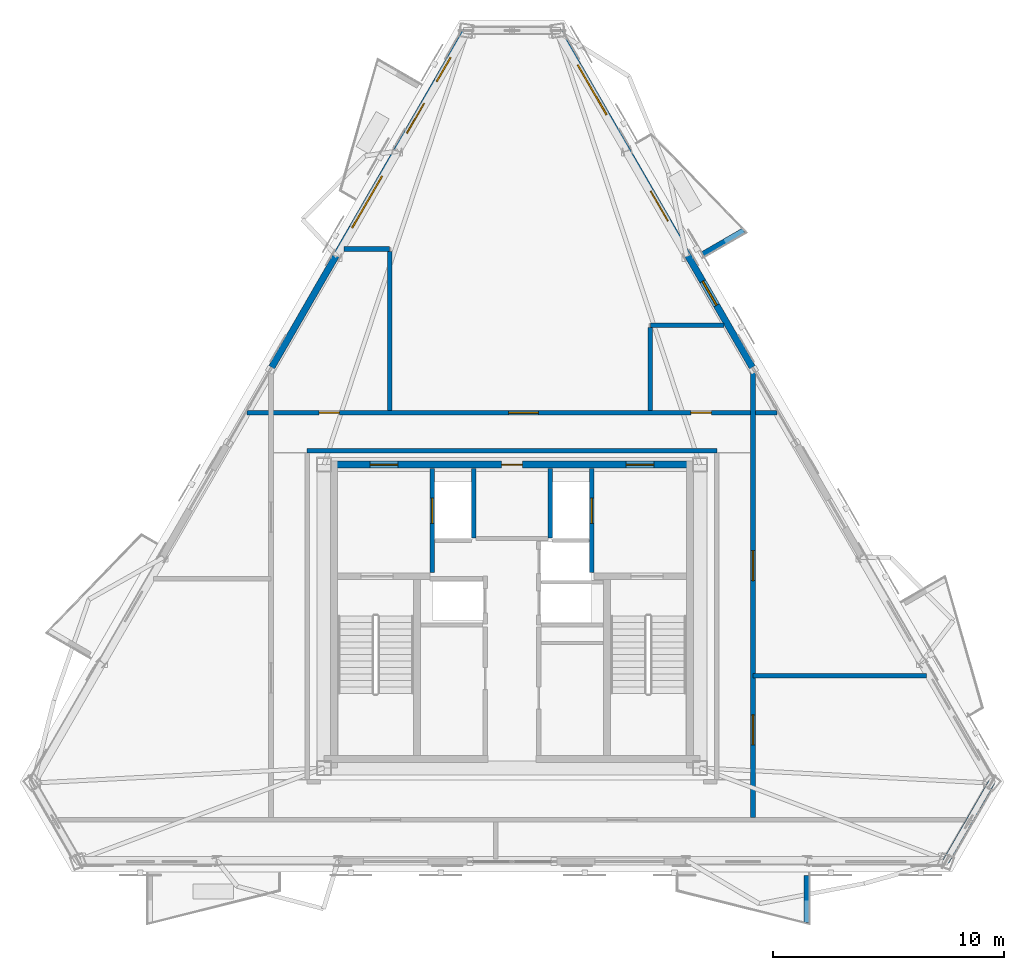
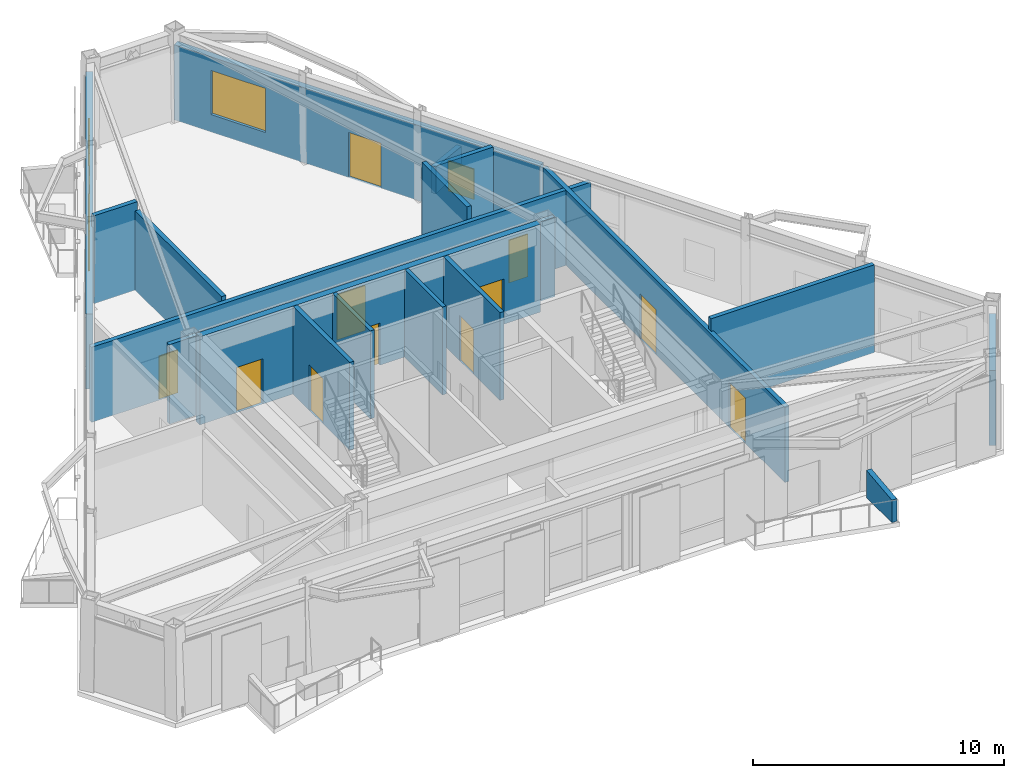
# One storey, part 11 of 16: 18 walls, 12 doors, 4 windows, 16 openings.
"""IFC4 building model written with IfcOpenShell, lengths in metres."""

import ifcopenshell
import ifcopenshell.guid

model = None  # the IFC model being written
_history = None  # IfcOwnerHistory: only IFC2X3 demands one
_inside = {}  # id of a spatial element -> (the spatial element, [elements in it])
_under = {}  # id of a project, library or spatial element -> (it, [spatial elements below it])
_declared = {}  # id of a project -> (the project, [libraries it declares])
_typed = {}  # id of a type object -> (the type object, [elements of that type])
_made_of = {}  # id of a material, layer set ... -> (it, [elements and type objects made of it])


def new_model(schema):
    """Start an empty IFC model of exactly this schema.

    Asked for "IFC4X3", IfcOpenShell would pick the latest addendum, in which some entities
    have other attributes; the version numbers below select the first issue.
    IFC2X3 requires an IfcOwnerHistory on every rooted entity: one is made here for all.
    """
    global model, _history
    if schema == "IFC4X3":
        model = ifcopenshell.file(schema_version=(4, 3, 0, 0))
    else:
        model = ifcopenshell.file(schema=schema)
    _inside.clear()
    _under.clear()
    _declared.clear()
    _typed.clear()
    _made_of.clear()
    _history = None
    if model.schema == "IFC2X3":
        org = make("IfcOrganization", Name="unknown")
        user = make(
            "IfcPersonAndOrganization",
            ThePerson=make("IfcPerson", FamilyName="unknown"),
            TheOrganization=org,
        )
        app = make(
            "IfcApplication",
            ApplicationDeveloper=org,
            Version="unknown",
            ApplicationFullName="unknown",
            ApplicationIdentifier="unknown",
        )
        _history = make(
            "IfcOwnerHistory",
            OwningUser=user,
            OwningApplication=app,
            ChangeAction="ADDED",
            CreationDate=0,
        )
    return model


def make(cls, **values):
    """One entity of the class cls with the attributes given. An attribute that is None is left unset."""
    return model.create_entity(
        cls, **{name: value for name, value in values.items() if value is not None}
    )


def rooted(cls, **values):
    """An entity with a GlobalId (a new one), such as an element, a storey or a relation."""
    return make(cls, GlobalId=ifcopenshell.guid.new(), OwnerHistory=_history, **values)


def si_unit(unit_type, name, prefix=None):
    """IfcSIUnit, for example si_unit("LENGTHUNIT", "METRE", prefix="MILLI")."""
    return make("IfcSIUnit", UnitType=unit_type, Prefix=prefix, Name=name)


def assignment(units):
    """IfcUnitAssignment: the units of a project."""
    return None if units is None else make("IfcUnitAssignment", Units=units)


def point(xyz):
    """IfcCartesianPoint."""
    return None if xyz is None else make("IfcCartesianPoint", Coordinates=xyz)


def direction(xyz):
    """IfcDirection."""
    return None if xyz is None else make("IfcDirection", DirectionRatios=xyz)


def frame(location, z_axis=None, x_axis=None):
    """IfcAxis2Placement3D, a coordinate frame: its origin and axes. An axis left out is left unset."""
    return make(
        "IfcAxis2Placement3D",
        Location=point(location),
        Axis=direction(z_axis),
        RefDirection=direction(x_axis),
    )


def frame_2d(location, x_axis=None):
    """IfcAxis2Placement2D, a coordinate frame in the plane: its origin and x axis."""
    return make(
        "IfcAxis2Placement2D", Location=point(location), RefDirection=direction(x_axis)
    )


def origin():
    """The frame at (0, 0, 0) with its axes left unset."""
    return frame((0.0, 0.0, 0.0))


def place(relative_to, where):
    """IfcLocalPlacement: puts the frame where relative to a parent placement (None: the world)."""
    return make(
        "IfcLocalPlacement", PlacementRelTo=relative_to, RelativePlacement=where
    )


def context(
    kind, dimensions, precision=None, world=None, true_north=None, identifier=None
):
    """IfcGeometricRepresentationContext, for example the 3D "Model" context."""
    return make(
        "IfcGeometricRepresentationContext",
        ContextIdentifier=identifier,
        ContextType=kind,
        CoordinateSpaceDimension=dimensions,
        Precision=precision,
        WorldCoordinateSystem=world,
        TrueNorth=true_north,
    )


def subcontext(parent, identifier, kind, view, scale=None):
    """IfcGeometricRepresentationSubContext, for example "Body" below "Model"."""
    return make(
        "IfcGeometricRepresentationSubContext",
        ContextIdentifier=identifier,
        ContextType=kind,
        ParentContext=parent,
        TargetScale=scale,
        TargetView=view,
    )


def project(units=None, contexts=None):
    """IfcProject with its units and contexts."""
    return rooted(
        "IfcProject",
        Name="project",
        RepresentationContexts=contexts,
        UnitsInContext=assignment(units),
    )


def spatial(cls, under=None, at=None, **own):
    """A site, building, storey or space (cls), placed at a placement, below another one or the project."""
    s = rooted(cls, ObjectPlacement=at, **own)
    if under is not None:
        _under.setdefault(under.id(), (under, []))[1].append(s)
    return s


def polyline(points):
    """IfcPolyline through the points."""
    return make("IfcPolyline", Points=[point(p) for p in points])


def profile(cls, at=None, kind="AREA", **sizes):
    """A parametric profile (cls). Its sizes go by their IFC names, for example OverallWidth=200.0."""
    return make(cls, ProfileType=kind, Position=at, **sizes)


def rectangle(**sizes):
    """IfcRectangleProfileDef."""
    return profile("IfcRectangleProfileDef", **sizes)


def outline(outer, holes=None, kind="AREA"):
    """IfcArbitraryClosedProfileDef: a profile drawn as a closed curve; with holes, ...WithVoids."""
    if holes is None:
        return make("IfcArbitraryClosedProfileDef", ProfileType=kind, OuterCurve=outer)
    return make(
        "IfcArbitraryProfileDefWithVoids",
        ProfileType=kind,
        OuterCurve=outer,
        InnerCurves=holes,
    )


def extrude(swept, where, along, depth):
    """IfcExtrudedAreaSolid: the profile swept, set in the frame where, extruded along a direction by depth."""
    return make(
        "IfcExtrudedAreaSolid",
        SweptArea=swept,
        Position=where,
        ExtrudedDirection=direction(along),
        Depth=depth,
    )


def shape(context_of_items, identifier, shape_type, items):
    """IfcShapeRepresentation: the items that make up one representation, for example the "Body"."""
    return make(
        "IfcShapeRepresentation",
        ContextOfItems=context_of_items,
        RepresentationIdentifier=identifier,
        RepresentationType=shape_type,
        Items=items,
    )


def material(Name=None, Category=None):
    """IfcMaterial."""
    return make("IfcMaterial", Name=Name, Category=Category)


def layer(
    of_material, thickness, ventilated=None, Name=None, Category=None, Priority=None
):
    """IfcMaterialLayer: one layer of a wall or slab, of a material (None: an air gap)."""
    return make(
        "IfcMaterialLayer",
        Material=of_material,
        LayerThickness=thickness,
        IsVentilated=ventilated,
        Name=Name,
        Category=Category,
        Priority=Priority,
    )


def layer_set(layers, Name=None):
    """IfcMaterialLayerSet."""
    return make("IfcMaterialLayerSet", MaterialLayers=layers, LayerSetName=Name)


def made_of(thing, what):
    """Note that an element or type object is made of a material, layer set ...; save() writes the relation."""
    if what is not None:
        _made_of.setdefault(what.id(), (what, []))[1].append(thing)
    return thing


def type_object(cls, material=None, **own):
    """A type object (cls), such as IfcWallType, which elements share."""
    return made_of(rooted(cls, **own), material)


def element(
    cls,
    number,
    at=None,
    inside=None,
    cuts=None,
    type_object=None,
    material=None,
    context=None,
    identifier="Body",
    shape_type=None,
    held_by="IfcProductDefinitionShape",
    body=None,
    shapes=None,
    **own,
):
    """One element of the class cls, such as IfcWall. Its Tag is "e" and its number.

    at: its placement. inside: the storey or other place that contains it. cuts: it is an
    opening in that element (IfcRelVoidsElement). A single representation is given by context,
    identifier, shape_type and body (its items); several are given by shapes. held_by: the class
    of the entity that holds the representations. save() writes the other relations.
    """
    e = rooted(cls, Tag="e%d" % number, ObjectPlacement=at, **own)
    if body is not None:
        shapes = [shape(context, identifier, shape_type, body)]
    if shapes is not None:
        e.Representation = make(held_by, Representations=shapes)
    if inside is not None:
        _inside.setdefault(inside.id(), (inside, []))[1].append(e)
    if cuts is not None:
        rooted(
            "IfcRelVoidsElement", RelatingBuildingElement=cuts, RelatedOpeningElement=e
        )
    if type_object is not None:
        _typed.setdefault(type_object.id(), (type_object, []))[1].append(e)
    return made_of(e, material)


def fill(opening, filler):
    """IfcRelFillsElement: the door or window that sits in an opening."""
    return rooted(
        "IfcRelFillsElement",
        RelatingOpeningElement=opening,
        RelatedBuildingElement=filler,
    )


def aggregate(whole, parts):
    """IfcRelAggregates: a whole, such as a stair, and the parts it consists of."""
    return rooted("IfcRelAggregates", RelatingObject=whole, RelatedObjects=parts)


def save(model, path):
    """Write the relations noted so far, then the file.

    IfcRelAggregates (storeys below a building ...), IfcRelContainedInSpatialStructure (elements
    in a storey), IfcRelDefinesByType, IfcRelAssociatesMaterial and IfcRelDeclares: one each for
    every whole, place, type object, material and project.
    """
    for whole, parts in _under.values():
        aggregate(whole, parts)
    for where, things in _inside.values():
        rooted(
            "IfcRelContainedInSpatialStructure",
            RelatedElements=things,
            RelatingStructure=where,
        )
    for kind, things in _typed.values():
        rooted("IfcRelDefinesByType", RelatedObjects=things, RelatingType=kind)
    for what, things in _made_of.values():
        rooted("IfcRelAssociatesMaterial", RelatedObjects=things, RelatingMaterial=what)
    for by, libraries in _declared.values():
        rooted("IfcRelDeclares", RelatingContext=by, RelatedDefinitions=libraries)
    model.write(path)


model = new_model("IFC4")

# Units and contexts
model_context = context("Model", 3, precision=1e-05, world=origin(), true_north=direction((0.0, 1.0)))
body_context = subcontext(model_context, "Body", "Model", "MODEL_VIEW")
ifc_project = project(units=[si_unit("LENGTHUNIT", "METRE"), si_unit("AREAUNIT", "SQUARE_METRE"), si_unit("VOLUMEUNIT", "CUBIC_METRE"), si_unit("PLANEANGLEUNIT", "RADIAN"), si_unit("MASSUNIT", "GRAM", prefix="KILO")], contexts=[model_context])

# Site, building, storey
site_placement = place(None, origin())
site = spatial("IfcSite", under=ifc_project, at=site_placement, CompositionType="ELEMENT")
building_placement = place(site_placement, origin())
building = spatial("IfcBuilding", under=site, at=building_placement, Name="Oramaril Tower", CompositionType="ELEMENT")
storey_placement = place(building_placement, frame((0.0, 0.0, 296.699951171875)))
storey = spatial("IfcBuildingStorey", under=building, at=storey_placement, Name="L78", CompositionType="ELEMENT", Elevation=296.699951171875)

# Wall
ifc_material_1 = material(Name="Warm Cream Limestone", Category="masonry")
ifc_layer_1 = layer(ifc_material_1, 0.2900390625)
ifc_layer_set_1 = layer_set([ifc_layer_1], Name="WT-EXT29")
wall_type_1 = type_object("IfcWallType", Name="WT-EXT29", PredefinedType="SOLIDWALL", material=ifc_layer_set_1)
wall_1_placement = place(storey_placement, frame((56.30712890625, 6.94140625, 0.0), z_axis=(0.0, 0.0, 1.0), x_axis=(0.500014184414, 0.866017214255, 0.0)))
element("IfcWall", 1, at=wall_1_placement, inside=storey, type_object=wall_type_1, Name="L78 Tower Limestone Facade Wall 3M", PredefinedType="SOLIDWALL", context=body_context, shape_type="SweptSolid", body=[
    extrude(rectangle(XDim=3.984375, YDim=0.2900390625, at=frame_2d((1.9921875, 0.0))), origin(), (0.0, 0.0, 1.0), 3.657958984375),
])

# Wall, openings, door, windows
wall_2_placement = place(storey_placement, frame((47.920654296875, 28.3681640625, 0.0), z_axis=(0.0, 0.0, 1.0), x_axis=(-0.499997428937, 0.866026888183, 0.0)))
wall_2 = element("IfcWall", 2, at=wall_2_placement, inside=storey, type_object=wall_type_1, Name="L78 Tower Limestone Facade Wall 4R", PredefinedType="SOLIDWALL", context=body_context, shape_type="SweptSolid", body=[
    extrude(rectangle(XDim=16.85693359375, YDim=0.2900390625, at=frame_2d((8.428466796875, 0.0))), origin(), (0.0, 0.0, 1.0), 3.657958984375),
])
opening_1_placement = place(wall_2_placement, frame((7.32275390625, 0.0, 0.0)))
opening_1 = element("IfcOpeningElement", 3, at=opening_1_placement, cuts=wall_2, Name="Opening D-L78-BAL-NE2", PredefinedType="OPENING", context=body_context, shape_type="SweptSolid", body=[
    extrude(rectangle(XDim=1.5, YDim=2.199951171875, at=frame_2d((0.75, 1.10009765625))), frame((0.0, 0.14501953125, 0.0), z_axis=(0.0, -1.0, 0.0), x_axis=(1.0, 0.0, 0.0)), (0.0, 0.0, 1.0), 0.2900390625),
])
opening_2_placement = place(wall_2_placement, frame((3.1064453125, 0.0, 0.85009765625)))
opening_2 = element("IfcOpeningElement", 4, at=opening_2_placement, cuts=wall_2, Name="Opening WN-09", PredefinedType="OPENING", context=body_context, shape_type="SweptSolid", body=[
    extrude(rectangle(XDim=1.199951171875, YDim=1.47998046875, at=frame_2d((0.60009765625, 0.739990234375))), frame((0.0, 0.14501953125, 0.0), z_axis=(0.0, -1.0, 0.0), x_axis=(1.0, 0.0, 0.0)), (0.0, 0.0, 1.0), 0.2900390625),
])
opening_3_placement = place(wall_2_placement, frame((12.64111328125, 0.0, 0.85009765625)))
opening_3 = element("IfcOpeningElement", 5, at=opening_3_placement, cuts=wall_2, Name="Opening WN-11", PredefinedType="OPENING", context=body_context, shape_type="SweptSolid", body=[
    extrude(rectangle(XDim=2.5, YDim=2.14990234375, at=frame_2d((1.25, 1.074951171875))), frame((0.0, 0.14501953125, 0.0), z_axis=(0.0, -1.0, 0.0), x_axis=(1.0, 0.0, 0.0)), (0.0, 0.0, 1.0), 0.2900390625),
])
ifc_material_2 = material(Name="Anodised Aluminium 6063-T6", Category="aluminium")
door_type_1 = type_object("IfcDoorType", Name="DT-BAL", OperationType="NOTDEFINED", PredefinedType="DOOR", material=ifc_material_2)
door_1_placement = place(opening_1_placement, origin())
door_1 = element("IfcDoor", 6, at=door_1_placement, inside=storey, type_object=door_type_1, Name="L78 Balcony Glazed Door L78-BAL-NE2", OperationType="SINGLE_SWING_RIGHT", OverallHeight=2.199951171875, OverallWidth=1.5, PredefinedType="DOOR", context=body_context, shape_type="SweptSolid", body=[
    extrude(rectangle(XDim=1.5, YDim=2.199951171875, at=frame_2d((0.75, 1.10009765625))), frame((0.0, 0.02490234375, 0.0), z_axis=(0.0, -1.0, 0.0), x_axis=(1.0, 0.0, 0.0)), (0.0, 0.0, 1.0), 0.050048828125),
])
fill(opening_1, door_1)
ifc_material_3 = material(Name="Coastal Low-E Insulated Glass", Category="glass")
window_type_1 = type_object("IfcWindowType", Name="WNT-09", PartitioningType="SINGLE_PANEL", PredefinedType="WINDOW", material=ifc_material_3)
window_1_placement = place(opening_2_placement, origin())
window_1 = element("IfcWindow", 7, at=window_1_placement, inside=storey, type_object=window_type_1, Name="L78 Chicago Bay Window WN-09", OverallHeight=1.47998046875, OverallWidth=1.199951171875, PartitioningType="SINGLE_PANEL", PredefinedType="WINDOW", context=body_context, shape_type="SweptSolid", body=[
    extrude(rectangle(XDim=1.199951171875, YDim=1.47998046875, at=frame_2d((0.60009765625, 0.739990234375))), frame((0.0, 0.030029296875, 0.0), z_axis=(0.0, -1.0, 0.0), x_axis=(1.0, 0.0, 0.0)), (0.0, 0.0, 1.0), 0.06005859375),
])
fill(opening_2, window_1)
ifc_material_4 = material(Name="Coastal Low-E Insulated Glass", Category="glass")
window_type_2 = type_object("IfcWindowType", Name="WNT-11", PartitioningType="SINGLE_PANEL", PredefinedType="WINDOW", material=ifc_material_4)
window_2_placement = place(opening_3_placement, origin())
window_2 = element("IfcWindow", 8, at=window_2_placement, inside=storey, type_object=window_type_2, Name="L78 Chicago Bay Window WN-11", OverallHeight=2.14990234375, OverallWidth=2.5, PartitioningType="SINGLE_PANEL", PredefinedType="WINDOW", context=body_context, shape_type="SweptSolid", body=[
    extrude(rectangle(XDim=2.5, YDim=2.14990234375, at=frame_2d((1.25, 1.074951171875))), frame((0.0, 0.030029296875, 0.0), z_axis=(0.0, -1.0, 0.0), x_axis=(1.0, 0.0, 0.0)), (0.0, 0.0, 1.0), 0.06005859375),
])
fill(opening_3, window_2)

wall_3_placement = place(storey_placement, frame((35.5078125, 42.966796875, 0.0), z_axis=(0.0, 0.0, 1.0), x_axis=(-0.499997428937, -0.866026888183, 0.0)))
wall_3 = element("IfcWall", 9, at=wall_3_placement, inside=storey, type_object=wall_type_1, Name="L78 Tower Limestone Facade Wall 6L", PredefinedType="SOLIDWALL", context=body_context, shape_type="SweptSolid", body=[
    extrude(rectangle(XDim=16.85693359375, YDim=0.2900390625, at=frame_2d((8.428466796875, 0.0))), origin(), (0.0, 0.0, 1.0), 3.657958984375),
])
opening_4_placement = place(wall_3_placement, frame((3.639404296875, 0.0, 0.0)))
opening_4 = element("IfcOpeningElement", 10, at=opening_4_placement, cuts=wall_3, Name="Opening D-L78-BAL-NW1", PredefinedType="OPENING", context=body_context, shape_type="SweptSolid", body=[
    extrude(rectangle(XDim=1.5, YDim=2.199951171875, at=frame_2d((0.75, 1.10009765625))), frame((0.0, 0.14501953125, 0.0), z_axis=(0.0, -1.0, 0.0), x_axis=(1.0, 0.0, 0.0)), (0.0, 0.0, 1.0), 0.2900390625),
])
opening_5_placement = place(wall_3_placement, frame((1.341796875, 0.0, 0.85009765625)))
opening_5 = element("IfcOpeningElement", 11, at=opening_5_placement, cuts=wall_3, Name="Opening WN-09", PredefinedType="OPENING", context=body_context, shape_type="SweptSolid", body=[
    extrude(rectangle(XDim=1.199951171875, YDim=1.47998046875, at=frame_2d((0.60009765625, 0.739990234375))), frame((0.0, 0.14501953125, 0.0), z_axis=(0.0, -1.0, 0.0), x_axis=(1.0, 0.0, 0.0)), (0.0, 0.0, 1.0), 0.2900390625),
])
opening_6_placement = place(wall_3_placement, frame((7.2734375, 0.0, 0.85009765625)))
opening_6 = element("IfcOpeningElement", 12, at=opening_6_placement, cuts=wall_3, Name="Opening WN-02", PredefinedType="OPENING", context=body_context, shape_type="SweptSolid", body=[
    extrude(rectangle(XDim=2.60009765625, YDim=1.949951171875, at=frame_2d((1.300048828125, 0.97509765625))), frame((0.0, 0.14501953125, 0.0), z_axis=(0.0, -1.0, 0.0), x_axis=(1.0, 0.0, 0.0)), (0.0, 0.0, 1.0), 0.2900390625),
])
door_2_placement = place(opening_4_placement, origin())
door_2 = element("IfcDoor", 13, at=door_2_placement, inside=storey, type_object=door_type_1, Name="L78 Balcony Glazed Door L78-BAL-NW1", OperationType="SINGLE_SWING_LEFT", OverallHeight=2.199951171875, OverallWidth=1.5, PredefinedType="DOOR", context=body_context, shape_type="SweptSolid", body=[
    extrude(rectangle(XDim=1.5, YDim=2.199951171875, at=frame_2d((0.75, 1.10009765625))), frame((0.0, 0.02490234375, 0.0), z_axis=(0.0, -1.0, 0.0), x_axis=(1.0, 0.0, 0.0)), (0.0, 0.0, 1.0), 0.050048828125),
])
fill(opening_4, door_2)
ifc_material_5 = material(Name="Coastal Low-E Insulated Glass", Category="glass")
window_type_3 = type_object("IfcWindowType", Name="WNT-02", PartitioningType="SINGLE_PANEL", PredefinedType="WINDOW", material=ifc_material_5)
window_3_placement = place(opening_6_placement, origin())
window_3 = element("IfcWindow", 14, at=window_3_placement, inside=storey, type_object=window_type_3, Name="L78 Chicago Bay Window WN-02", OverallHeight=1.949951171875, OverallWidth=2.60009765625, PartitioningType="SINGLE_PANEL", PredefinedType="WINDOW", context=body_context, shape_type="SweptSolid", body=[
    extrude(rectangle(XDim=2.60009765625, YDim=1.949951171875, at=frame_2d((1.300048828125, 0.97509765625))), frame((0.0, 0.030029296875, 0.0), z_axis=(0.0, -1.0, 0.0), x_axis=(1.0, 0.0, 0.0)), (0.0, 0.0, 1.0), 0.06005859375),
])
fill(opening_6, window_3)
window_4_placement = place(opening_5_placement, origin())
window_4 = element("IfcWindow", 15, at=window_4_placement, inside=storey, type_object=window_type_1, Name="L78 Chicago Bay Window WN-09", OverallHeight=1.47998046875, OverallWidth=1.199951171875, PartitioningType="SINGLE_PANEL", PredefinedType="WINDOW", context=body_context, shape_type="SweptSolid", body=[
    extrude(rectangle(XDim=1.199951171875, YDim=1.47998046875, at=frame_2d((0.60009765625, 0.739990234375))), frame((0.0, 0.030029296875, 0.0), z_axis=(0.0, -1.0, 0.0), x_axis=(1.0, 0.0, 0.0)), (0.0, 0.0, 1.0), 0.06005859375),
])
fill(opening_5, window_4)

# Walls
ifc_material_6 = material(Name="Concrete C40/50", Category="concrete")
ifc_layer_2 = layer(ifc_material_6, 0.22998046875)
ifc_layer_set_2 = layer_set([ifc_layer_2], Name="WT-PRP23")
wall_type_2 = type_object("IfcWallType", Name="WT-PRP23", PredefinedType="PARAPET", material=ifc_layer_set_2)
for number, where, z_axis, x_axis, name in (
    (16, (50.267578125, 6.343505859375, 0.0), (0.0, 0.0, 1.0), (0.0, -1.0, 0.0), "L78 Trapezoidal Balcony Frame Cheek L78-BAL-S2-R"),
    (17, (45.774658203125, 33.281005859375, 0.0), (0.0, 0.0, 1.0), (0.866042246008, 0.499970827278, 0.0), "L78 Trapezoidal Balcony Frame Cheek L78-BAL-NE2-L"),
):
    element("IfcWall", number, at=place(storey_placement, frame(where, z_axis=z_axis, x_axis=x_axis)), inside=storey, type_object=wall_type_2, Name=name, PredefinedType="PARAPET", context=body_context, shape_type="SweptSolid", body=[
        extrude(outline(polyline([(0.0, 0.0), (2.0419921875, 0.0), (2.0419921875, 1.10009765625), (0.0, 1.320068359375), (0.0, 0.0)])), frame((0.0, 0.114990234375, 0.0), z_axis=(0.0, -1.0, 0.0), x_axis=(1.0, 0.0, 0.0)), (0.0, 0.0, 1.0), 0.22998046875),
    ])
ifc_material_7 = material(Name="Autoclaved Cellular Concrete Block", Category="concrete")
ifc_layer_3 = layer(ifc_material_7, 0.179931640625)
ifc_layer_set_3 = layer_set([ifc_layer_3], Name="WT-PT18")
wall_type_3 = type_object("IfcWallType", Name="WT-PT18", PredefinedType="PARTITIONING", material=ifc_layer_set_3)
for number, where, z_axis, x_axis, name in (
    (18, (35.840087890625, 20.9599609375, 0.0), (0.0, 0.0, 1.0), (0.0, 1.0, 0.0), "L78 FL-1 East Shaft Wall"),
    (19, (39.159912109375, 20.9599609375, 0.0), (0.0, 0.0, 1.0), (0.0, 1.0, 0.0), "L78 FL-2 West Shaft Wall"),
):
    element("IfcWall", number, at=place(storey_placement, frame(where, z_axis=z_axis, x_axis=x_axis)), inside=storey, type_object=wall_type_3, Name=name, PredefinedType="PARTITIONING", context=body_context, shape_type="SweptSolid", body=[
        extrude(rectangle(XDim=3.02001953125, YDim=0.179931640625, at=frame_2d((1.510009765625, 0.0))), origin(), (0.0, 0.0, 1.0), 4.280029296875),
    ])
ifc_material_8 = material(Name="Autoclaved Cellular Concrete Block", Category="concrete")
ifc_layer_4 = layer(ifc_material_8, 0.199951171875)
ifc_layer_set_4 = layer_set([ifc_layer_4], Name="WT-PT20")
wall_type_4 = type_object("IfcWallType", Name="WT-PT20", PredefinedType="PARTITIONING", material=ifc_layer_set_4)
wall_4_placement = place(storey_placement, frame((47.949951171875, 15.0, 0.0), z_axis=(0.0, 0.0, 1.0), x_axis=(1.0, 0.0, 0.0)))
element("IfcWall", 20, at=wall_4_placement, inside=storey, type_object=wall_type_4, Name="L78 Interior Partition PT-20", PredefinedType="PARTITIONING", context=body_context, shape_type="SweptSolid", body=[
    extrude(rectangle(XDim=7.516845703125, YDim=0.199951171875, at=frame_2d((3.75830078125, 0.0))), origin(), (0.0, 0.0, 1.0), 4.280029296875),
])
wall_5_placement = place(storey_placement, frame((28.6201171875, 24.75, 0.0), z_axis=(0.0, 0.0, 1.0), x_axis=(1.0, 0.0, 0.0)))
element("IfcWall", 21, at=wall_5_placement, inside=storey, type_object=wall_type_4, Name="L78 Interior Partition PT-20", PredefinedType="PARTITIONING", context=body_context, shape_type="SweptSolid", body=[
    extrude(rectangle(XDim=17.759765625, YDim=0.199951171875, at=frame_2d((8.8798828125, 0.0))), origin(), (0.0, 0.0, 1.0), 3.865966796875),
])

# Wall, openings, doors
wall_6_placement = place(storey_placement, frame((26.0068359375, 26.39990234375, 0.0), z_axis=(0.0, 0.0, 1.0), x_axis=(1.0, 0.0, 0.0)))
wall_6 = element("IfcWall", 22, at=wall_6_placement, inside=storey, type_object=wall_type_4, Name="L78 Interior Partition PT-20", PredefinedType="PARTITIONING", context=body_context, shape_type="SweptSolid", body=[
    extrude(rectangle(XDim=22.986572265625, YDim=0.199951171875, at=frame_2d((11.4931640625, 0.0))), origin(), (0.0, 0.0, 1.0), 3.657958984375),
])
opening_7_placement = place(wall_6_placement, frame((3.131591796875, 0.0, 0.0)))
opening_7 = element("IfcOpeningElement", 23, at=opening_7_placement, cuts=wall_6, Name="Opening D-L78-03", PredefinedType="OPENING", context=body_context, shape_type="SweptSolid", body=[
    extrude(rectangle(XDim=0.8798828125, YDim=2.080078125, at=frame_2d((0.43994140625, 1.0400390625))), frame((0.0, 0.10009765625, 0.0), z_axis=(0.0, -1.0, 0.0), x_axis=(1.0, 0.0, 0.0)), (0.0, 0.0, 1.0), 0.199951171875),
])
opening_8_placement = place(wall_6_placement, frame((11.342041015625, 0.0, 0.0)))
opening_8 = element("IfcOpeningElement", 24, at=opening_8_placement, cuts=wall_6, Name="Opening D-L78-04", PredefinedType="OPENING", context=body_context, shape_type="SweptSolid", body=[
    extrude(rectangle(XDim=1.300048828125, YDim=2.199951171875, at=frame_2d((0.64990234375, 1.10009765625))), frame((0.0, 0.10009765625, 0.0), z_axis=(0.0, -1.0, 0.0), x_axis=(1.0, 0.0, 0.0)), (0.0, 0.0, 1.0), 0.199951171875),
])
opening_9_placement = place(wall_6_placement, frame((19.252197265625, 0.0, 0.0)))
opening_9 = element("IfcOpeningElement", 25, at=opening_9_placement, cuts=wall_6, Name="Opening D-L78-05", PredefinedType="OPENING", context=body_context, shape_type="SweptSolid", body=[
    extrude(rectangle(XDim=0.8798828125, YDim=2.080078125, at=frame_2d((0.43994140625, 1.0400390625))), frame((0.0, 0.10009765625, 0.0), z_axis=(0.0, -1.0, 0.0), x_axis=(1.0, 0.0, 0.0)), (0.0, 0.0, 1.0), 0.199951171875),
])
ifc_material_9 = material(Name="FSC Brazilian Freijo Hardwood", Category="wood")
door_type_2 = type_object("IfcDoorType", Name="DT-BATH", OperationType="NOTDEFINED", PredefinedType="DOOR", material=ifc_material_9)
door_3_placement = place(opening_7_placement, origin())
door_3 = element("IfcDoor", 26, at=door_3_placement, inside=storey, type_object=door_type_2, Name="L78 L78 Sky Male WC Door D-L78-03", OperationType="SINGLE_SWING_RIGHT", OverallHeight=2.080078125, OverallWidth=0.8798828125, PredefinedType="DOOR", context=body_context, shape_type="SweptSolid", body=[
    extrude(rectangle(XDim=0.8798828125, YDim=2.080078125, at=frame_2d((0.43994140625, 1.0400390625))), frame((0.0, 0.02490234375, 0.0), z_axis=(0.0, -1.0, 0.0), x_axis=(1.0, 0.0, 0.0)), (0.0, 0.0, 1.0), 0.050048828125),
])
fill(opening_7, door_3)
door_4_placement = place(opening_9_placement, origin())
door_4 = element("IfcDoor", 27, at=door_4_placement, inside=storey, type_object=door_type_2, Name="L78 L78 Sky Accessible WC Door D-L78-05", OperationType="SINGLE_SWING_RIGHT", OverallHeight=2.080078125, OverallWidth=0.8798828125, PredefinedType="DOOR", context=body_context, shape_type="SweptSolid", body=[
    extrude(rectangle(XDim=0.8798828125, YDim=2.080078125, at=frame_2d((0.43994140625, 1.0400390625))), frame((0.0, 0.02490234375, 0.0), z_axis=(0.0, -1.0, 0.0), x_axis=(1.0, 0.0, 0.0)), (0.0, 0.0, 1.0), 0.050048828125),
])
fill(opening_9, door_4)
ifc_material_10 = material(Name="FSC Brazilian Freijo Hardwood", Category="wood")
door_type_3 = type_object("IfcDoorType", Name="DT-COM", OperationType="NOTDEFINED", PredefinedType="DOOR", material=ifc_material_10)
door_5_placement = place(opening_8_placement, origin())
door_5 = element("IfcDoor", 28, at=door_5_placement, inside=storey, type_object=door_type_3, Name="L78 L78 Botanical Sky Conservatory Gallery Door D-L78-04", OperationType="SINGLE_SWING_LEFT", OverallHeight=2.199951171875, OverallWidth=1.300048828125, PredefinedType="DOOR", context=body_context, shape_type="SweptSolid", body=[
    extrude(rectangle(XDim=1.300048828125, YDim=2.199951171875, at=frame_2d((0.64990234375, 1.10009765625))), frame((0.0, 0.02490234375, 0.0), z_axis=(0.0, -1.0, 0.0), x_axis=(1.0, 0.0, 0.0)), (0.0, 0.0, 1.0), 0.050048828125),
])
fill(opening_8, door_5)

# Walls
wall_7_placement = place(storey_placement, frame((43.5, 30.199951171875, 0.0), z_axis=(0.0, 0.0, 1.0), x_axis=(1.0, 0.0, 0.0)))
element("IfcWall", 29, at=wall_7_placement, inside=storey, type_object=wall_type_4, Name="L78 Interior Partition PT-20", PredefinedType="PARTITIONING", context=body_context, shape_type="SweptSolid", body=[
    extrude(rectangle(XDim=3.19091796875, YDim=0.199951171875, at=frame_2d((1.595458984375, 0.0))), origin(), (0.0, 0.0, 1.0), 3.865966796875),
])
wall_8_placement = place(storey_placement, frame((30.21435546875, 33.5, 0.0), z_axis=(0.0, 0.0, 1.0), x_axis=(1.0, 0.0, 0.0)))
element("IfcWall", 30, at=wall_8_placement, inside=storey, type_object=wall_type_4, Name="L78 Interior Partition PT-20", PredefinedType="PARTITIONING", context=body_context, shape_type="SweptSolid", body=[
    extrude(rectangle(XDim=1.985595703125, YDim=0.199951171875, at=frame_2d((0.99267578125, 0.0))), origin(), (0.0, 0.0, 1.0), 4.280029296875),
])
wall_9_placement = place(storey_placement, frame((32.199951171875, 26.50390625, 0.0), z_axis=(0.0, 0.0, 1.0), x_axis=(0.0, 1.0, 0.0)))
element("IfcWall", 31, at=wall_9_placement, inside=storey, type_object=wall_type_4, Name="L78 Interior Partition PT-20", PredefinedType="PARTITIONING", context=body_context, shape_type="SweptSolid", body=[
    extrude(rectangle(XDim=6.89208984375, YDim=0.199951171875, at=frame_2d((3.446044921875, 0.0))), origin(), (0.0, 0.0, 1.0), 3.865966796875),
])
wall_10_placement = place(storey_placement, frame((43.5, 26.50390625, 0.0), z_axis=(0.0, 0.0, 1.0), x_axis=(0.0, 1.0, 0.0)))
element("IfcWall", 32, at=wall_10_placement, inside=storey, type_object=wall_type_4, Name="L78 Interior Partition PT-20", PredefinedType="PARTITIONING", context=body_context, shape_type="SweptSolid", body=[
    extrude(rectangle(XDim=3.592041015625, YDim=0.199951171875, at=frame_2d((1.7958984375, 0.0))), origin(), (0.0, 0.0, 1.0), 4.280029296875),
])

# Wall, openings, doors
wall_11_placement = place(storey_placement, frame((47.949951171875, 8.85400390625, 0.0), z_axis=(0.0, 0.0, 1.0), x_axis=(0.0, 1.0, 0.0)))
wall_11 = element("IfcWall", 33, at=wall_11_placement, inside=storey, type_object=wall_type_4, Name="L78 Interior Partition PT-20", PredefinedType="PARTITIONING", context=body_context, shape_type="SweptSolid", body=[
    extrude(rectangle(XDim=19.303466796875, YDim=0.199951171875, at=frame_2d((9.65185546875, 0.0))), origin(), (0.0, 0.0, 1.0), 3.657958984375),
])
opening_10_placement = place(wall_11_placement, frame((3.148681640625, 0.0, 0.0)))
opening_10 = element("IfcOpeningElement", 34, at=opening_10_placement, cuts=wall_11, Name="Opening D-L78-08", PredefinedType="OPENING", context=body_context, shape_type="SweptSolid", body=[
    extrude(rectangle(XDim=1.300048828125, YDim=2.199951171875, at=frame_2d((0.64990234375, 1.10009765625))), frame((0.0, 0.10009765625, 0.0), z_axis=(0.0, -1.0, 0.0), x_axis=(1.0, 0.0, 0.0)), (0.0, 0.0, 1.0), 0.199951171875),
])
opening_11_placement = place(wall_11_placement, frame((10.270263671875, 0.0, 0.0)))
opening_11 = element("IfcOpeningElement", 35, at=opening_11_placement, cuts=wall_11, Name="Opening D-L78-09", PredefinedType="OPENING", context=body_context, shape_type="SweptSolid", body=[
    extrude(rectangle(XDim=1.300048828125, YDim=2.199951171875, at=frame_2d((0.64990234375, 1.10009765625))), frame((0.0, 0.10009765625, 0.0), z_axis=(0.0, -1.0, 0.0), x_axis=(1.0, 0.0, 0.0)), (0.0, 0.0, 1.0), 0.199951171875),
])
door_6_placement = place(opening_10_placement, origin())
door_6 = element("IfcDoor", 36, at=door_6_placement, inside=storey, type_object=door_type_3, Name="L78 L78 Sky Boardroom Meeting Suite Door D-L78-08", OperationType="SINGLE_SWING_LEFT", OverallHeight=2.199951171875, OverallWidth=1.300048828125, PredefinedType="DOOR", context=body_context, shape_type="SweptSolid", body=[
    extrude(rectangle(XDim=1.300048828125, YDim=2.199951171875, at=frame_2d((0.64990234375, 1.10009765625))), frame((0.0, 0.02490234375, 0.0), z_axis=(0.0, -1.0, 0.0), x_axis=(1.0, 0.0, 0.0)), (0.0, 0.0, 1.0), 0.050048828125),
])
fill(opening_10, door_6)
door_7_placement = place(opening_11_placement, origin())
door_7 = element("IfcDoor", 37, at=door_7_placement, inside=storey, type_object=door_type_3, Name="L78 L78 Sky Co-Working Salon Door D-L78-09", OperationType="SINGLE_SWING_RIGHT", OverallHeight=2.199951171875, OverallWidth=1.300048828125, PredefinedType="DOOR", context=body_context, shape_type="SweptSolid", body=[
    extrude(rectangle(XDim=1.300048828125, YDim=2.199951171875, at=frame_2d((0.64990234375, 1.10009765625))), frame((0.0, 0.02490234375, 0.0), z_axis=(0.0, -1.0, 0.0), x_axis=(1.0, 0.0, 0.0)), (0.0, 0.0, 1.0), 0.050048828125),
])
fill(opening_11, door_7)

ifc_material_11 = material(Name="Concrete C50/60", Category="concrete")
ifc_layer_5 = layer(ifc_material_11, 0.300048828125)
ifc_layer_set_5 = layer_set([ifc_layer_5], Name="WT-SH30")
wall_type_5 = type_object("IfcWallType", Name="WT-SH30", PredefinedType="SHEAR", material=ifc_layer_set_5)
wall_12_placement = place(storey_placement, frame((29.64990234375, 24.14990234375, 0.0), z_axis=(0.0, 0.0, 1.0), x_axis=(1.0, 0.0, 0.0)))
wall_12 = element("IfcWall", 38, at=wall_12_placement, inside=storey, type_object=wall_type_5, Name="L78 Core Shear Wall CW-N", PredefinedType="SHEAR", context=body_context, shape_type="SweptSolid", body=[
    extrude(rectangle(XDim=15.7001953125, YDim=0.300048828125, at=frame_2d((7.85009765625, 0.0))), origin(), (0.0, 0.0, 1.0), 4.280029296875),
])
opening_12_placement = place(wall_12_placement, frame((1.699951171875, 0.0, 0.0)))
opening_12 = element("IfcOpeningElement", 39, at=opening_12_placement, cuts=wall_12, Name="Opening D-L78-FFL1", PredefinedType="OPENING", context=body_context, shape_type="SweptSolid", body=[
    extrude(rectangle(XDim=1.199951171875, YDim=2.199951171875, at=frame_2d((0.60009765625, 1.10009765625))), frame((0.0, 0.14990234375, 0.0), z_axis=(0.0, -1.0, 0.0), x_axis=(1.0, 0.0, 0.0)), (0.0, 0.0, 1.0), 0.300048828125),
])
opening_13_placement = place(wall_12_placement, frame((12.800048828125, 0.0, 0.0)))
opening_13 = element("IfcOpeningElement", 40, at=opening_13_placement, cuts=wall_12, Name="Opening D-L78-FFL2", PredefinedType="OPENING", context=body_context, shape_type="SweptSolid", body=[
    extrude(rectangle(XDim=1.199951171875, YDim=2.199951171875, at=frame_2d((0.60009765625, 1.10009765625))), frame((0.0, 0.14990234375, 0.0), z_axis=(0.0, -1.0, 0.0), x_axis=(1.0, 0.0, 0.0)), (0.0, 0.0, 1.0), 0.300048828125),
])
opening_14_placement = place(wall_12_placement, frame((7.39990234375, 0.0, 0.0)))
opening_14 = element("IfcOpeningElement", 41, at=opening_14_placement, cuts=wall_12, Name="Opening D-L78-SV1", PredefinedType="OPENING", context=body_context, shape_type="SweptSolid", body=[
    extrude(rectangle(XDim=0.89990234375, YDim=2.050048828125, at=frame_2d((0.449951171875, 1.02490234375))), frame((0.0, 0.14990234375, 0.0), z_axis=(0.0, -1.0, 0.0), x_axis=(1.0, 0.0, 0.0)), (0.0, 0.0, 1.0), 0.300048828125),
])
ifc_material_12 = material(Name="Painted Galvanised Steel", Category="steel")
door_type_4 = type_object("IfcDoorType", Name="DT-FFL", OperationType="NOTDEFINED", PredefinedType="DOOR", material=ifc_material_12)
door_8_placement = place(opening_12_placement, origin())
door_8 = element("IfcDoor", 42, at=door_8_placement, inside=storey, type_object=door_type_4, Name="L78 Firefighting Lobby 1 Fire Door", OperationType="SINGLE_SWING_LEFT", OverallHeight=2.199951171875, OverallWidth=1.199951171875, PredefinedType="DOOR", context=body_context, shape_type="SweptSolid", body=[
    extrude(rectangle(XDim=1.199951171875, YDim=2.199951171875, at=frame_2d((0.60009765625, 1.10009765625))), frame((0.0, 0.02490234375, 0.0), z_axis=(0.0, -1.0, 0.0), x_axis=(1.0, 0.0, 0.0)), (0.0, 0.0, 1.0), 0.050048828125),
])
fill(opening_12, door_8)
door_9_placement = place(opening_13_placement, origin())
door_9 = element("IfcDoor", 43, at=door_9_placement, inside=storey, type_object=door_type_4, Name="L78 Firefighting Lobby 2 Fire Door", OperationType="SINGLE_SWING_RIGHT", OverallHeight=2.199951171875, OverallWidth=1.199951171875, PredefinedType="DOOR", context=body_context, shape_type="SweptSolid", body=[
    extrude(rectangle(XDim=1.199951171875, YDim=2.199951171875, at=frame_2d((0.60009765625, 1.10009765625))), frame((0.0, 0.02490234375, 0.0), z_axis=(0.0, -1.0, 0.0), x_axis=(1.0, 0.0, 0.0)), (0.0, 0.0, 1.0), 0.050048828125),
])
fill(opening_13, door_9)
ifc_material_13 = material(Name="Painted Galvanised Steel", Category="steel")
door_type_5 = type_object("IfcDoorType", Name="DT-SVC", OperationType="NOTDEFINED", PredefinedType="DOOR", material=ifc_material_13)
door_10_placement = place(opening_14_placement, origin())
door_10 = element("IfcDoor", 44, at=door_10_placement, inside=storey, type_object=door_type_5, Name="L78 Core Janitor Store Door", OperationType="SINGLE_SWING_LEFT", OverallHeight=2.050048828125, OverallWidth=0.89990234375, PredefinedType="DOOR", context=body_context, shape_type="SweptSolid", body=[
    extrude(rectangle(XDim=0.89990234375, YDim=2.050048828125, at=frame_2d((0.449951171875, 1.02490234375))), frame((0.0, 0.02490234375, 0.0), z_axis=(0.0, -1.0, 0.0), x_axis=(1.0, 0.0, 0.0)), (0.0, 0.0, 1.0), 0.050048828125),
])
fill(opening_14, door_10)

# Wall, opening, door
ifc_material_14 = material(Name="Autoclaved Cellular Concrete Block", Category="concrete")
ifc_layer_6 = layer(ifc_material_14, 0.199951171875)
ifc_layer_set_6 = layer_set([ifc_layer_6], Name="WT-SHF20")
wall_type_6 = type_object("IfcWallType", Name="WT-SHF20", PredefinedType="PARTITIONING", material=ifc_layer_set_6)
wall_13_placement = place(storey_placement, frame((34.0400390625, 19.47998046875, 0.0), z_axis=(0.0, 0.0, 1.0), x_axis=(0.0, 1.0, 0.0)))
wall_13 = element("IfcWall", 45, at=wall_13_placement, inside=storey, type_object=wall_type_6, Name="L78 FL-1 Lobby Shaft Wall", PredefinedType="PARTITIONING", context=body_context, shape_type="SweptSolid", body=[
    extrude(rectangle(XDim=4.5, YDim=0.199951171875, at=frame_2d((2.25, 0.0))), origin(), (0.0, 0.0, 1.0), 4.280029296875),
])
opening_15_placement = place(wall_13_placement, frame((2.1201171875, 0.0, 0.0)))
opening_15 = element("IfcOpeningElement", 46, at=opening_15_placement, cuts=wall_13, Name="Opening LD-L78-FL-1", PredefinedType="OPENING", context=body_context, shape_type="SweptSolid", body=[
    extrude(rectangle(XDim=1.10009765625, YDim=2.199951171875, at=frame_2d((0.550048828125, 1.10009765625))), frame((0.0, 0.10009765625, 0.0), z_axis=(0.0, -1.0, 0.0), x_axis=(1.0, 0.0, 0.0)), (0.0, 0.0, 1.0), 0.199951171875),
])
ifc_material_15 = material(Name="Stainless Steel 316L", Category="steel")
door_type_6 = type_object("IfcDoorType", Name="DT-LD1", OperationType="NOTDEFINED", PredefinedType="DOOR", material=ifc_material_15)
door_11_placement = place(opening_15_placement, origin())
door_11 = element("IfcDoor", 47, at=door_11_placement, inside=storey, type_object=door_type_6, Name="L78 Lift FL-1 Sliding Landing Door", OperationType="SLIDING_TO_LEFT", OverallHeight=2.199951171875, OverallWidth=1.10009765625, PredefinedType="DOOR", context=body_context, shape_type="SweptSolid", body=[
    extrude(rectangle(XDim=1.10009765625, YDim=2.199951171875, at=frame_2d((0.550048828125, 1.10009765625))), frame((0.0, 0.02490234375, 0.0), z_axis=(0.0, -1.0, 0.0), x_axis=(1.0, 0.0, 0.0)), (0.0, 0.0, 1.0), 0.050048828125),
])
fill(opening_15, door_11)

wall_14_placement = place(storey_placement, frame((40.9599609375, 19.47998046875, 0.0), z_axis=(0.0, 0.0, 1.0), x_axis=(0.0, 1.0, 0.0)))
wall_14 = element("IfcWall", 48, at=wall_14_placement, inside=storey, type_object=wall_type_6, Name="L78 FL-2 Lobby Shaft Wall", PredefinedType="PARTITIONING", context=body_context, shape_type="SweptSolid", body=[
    extrude(rectangle(XDim=4.5, YDim=0.199951171875, at=frame_2d((2.25, 0.0))), origin(), (0.0, 0.0, 1.0), 4.280029296875),
])
opening_16_placement = place(wall_14_placement, frame((2.1201171875, 0.0, 0.0)))
opening_16 = element("IfcOpeningElement", 49, at=opening_16_placement, cuts=wall_14, Name="Opening LD-L78-FL-2", PredefinedType="OPENING", context=body_context, shape_type="SweptSolid", body=[
    extrude(rectangle(XDim=1.10009765625, YDim=2.199951171875, at=frame_2d((0.550048828125, 1.10009765625))), frame((0.0, 0.10009765625, 0.0), z_axis=(0.0, -1.0, 0.0), x_axis=(1.0, 0.0, 0.0)), (0.0, 0.0, 1.0), 0.199951171875),
])
door_12_placement = place(opening_16_placement, origin())
door_12 = element("IfcDoor", 50, at=door_12_placement, inside=storey, type_object=door_type_6, Name="L78 Lift FL-2 Sliding Landing Door", OperationType="SLIDING_TO_RIGHT", OverallHeight=2.199951171875, OverallWidth=1.10009765625, PredefinedType="DOOR", context=body_context, shape_type="SweptSolid", body=[
    extrude(rectangle(XDim=1.10009765625, YDim=2.199951171875, at=frame_2d((0.550048828125, 1.10009765625))), frame((0.0, 0.02490234375, 0.0), z_axis=(0.0, -1.0, 0.0), x_axis=(1.0, 0.0, 0.0)), (0.0, 0.0, 1.0), 0.050048828125),
])
fill(opening_16, door_12)

save(model, "model.ifc")
